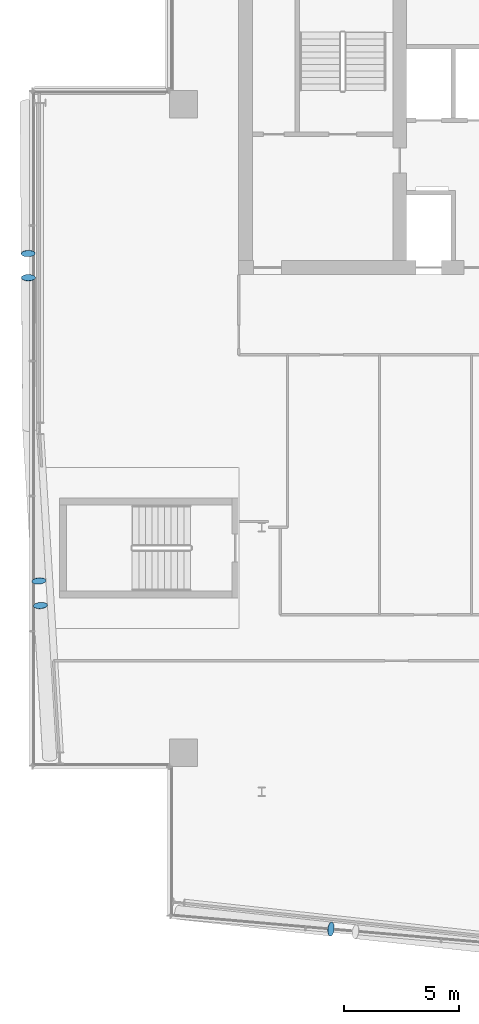
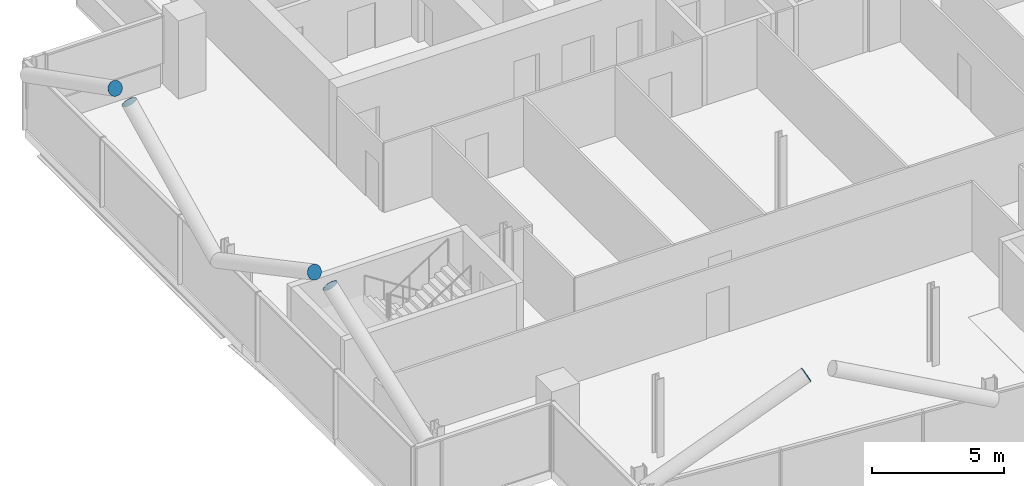
# One storey, part 21 of 27: 5 discrete accessories.
"""IFC4 building model written with IfcOpenShell, lengths in metres."""

from ifc_helpers import new_model, si_unit, direction, frame, origin, origin_2d, place, context, subcontext, project, spatial, circle, extrude, material, material_profile, profile_set, type_object, element, save


model = new_model("IFC4")

# Units and contexts
model_context = context("Model", 3, precision=1e-05, world=origin(), true_north=direction((0.0, 1.0)))
body_context = subcontext(model_context, "Body", "Model", "MODEL_VIEW")
ifc_project = project(units=[si_unit("LENGTHUNIT", "METRE"), si_unit("AREAUNIT", "SQUARE_METRE"), si_unit("VOLUMEUNIT", "CUBIC_METRE"), si_unit("PLANEANGLEUNIT", "RADIAN"), si_unit("MASSUNIT", "GRAM", prefix="KILO")], contexts=[model_context])

# Site, building, storey
site_placement = place(None, origin())
site = spatial("IfcSite", under=ifc_project, at=site_placement, CompositionType="ELEMENT")
building_placement = place(site_placement, origin())
building = spatial("IfcBuilding", under=site, at=building_placement, Name="Wharfspan Tower", CompositionType="ELEMENT")
storey_placement = place(building_placement, frame((0.0, 0.0, 210.699951)))
storey = spatial("IfcBuildingStorey", under=building, at=storey_placement, Name="L52", CompositionType="ELEMENT", Elevation=210.699951)

# Discrete accessories
ifc_material = material(Name="Steel S460NH", Category="steel")
ifc_material_profile = material_profile(ifc_material, circle(Radius=0.304932, at=origin_2d()))
ifc_profile_set = profile_set([ifc_material_profile], Name="Steel S460NH")
discrete_accessory_type = type_object("IfcDiscreteAccessoryType", Name="End plate CHS 610x25", PredefinedType="BRACKET", material=ifc_profile_set)
for number, where, z_axis, x_axis, name in (
    (1, (27.005371, 5.52832, 6.229004), (0.895016, -0.096758, 0.435413), (0.107482, 0.994209, -1e-06), "End plate CHS 610x25"),
    (2, (13.844727, 34.910645, 6.230225), (0.024296, -0.89897, 0.437337), (0.999631, 0.027017, 1e-06), "End plate CHS 610x25"),
):
    element("IfcDiscreteAccessory", number, at=place(storey_placement, frame(where, z_axis=z_axis, x_axis=x_axis)), inside=storey, type_object=discrete_accessory_type, Name=name, PredefinedType="BRACKET", context=body_context, shape_type="SweptSolid", body=[
        extrude(circle(Radius=0.304932, at=origin_2d()), origin(), (0.0, 0.0, 1.0), 0.01001),
    ])
discrete_accessory_placement = place(storey_placement, frame((13.853271, 33.849121, 6.230225), z_axis=(0.0, 0.894427, 0.447214), x_axis=(-1.0, 0.0, 0.0)))
element("IfcDiscreteAccessory", 3, at=discrete_accessory_placement, inside=storey, type_object=discrete_accessory_type, Name="End plate CHS 610x25", PredefinedType="BRACKET", context=body_context, shape_type="SweptSolid", body=[
    extrude(circle(Radius=0.304932, at=origin_2d()), origin(), (0.0, 0.0, 1.0), 0.009766),
])
for number, where, z_axis, x_axis, name in (
    (4, (14.310791, 20.670654, 6.229492), (0.072718, -0.896854, 0.436308), (0.996729, 0.080815, -2e-06), "End plate CHS 610x25"),
    (5, (14.376953, 19.592773, 6.229492), (-0.072718, 0.896854, 0.436308), (-0.996729, -0.080815, -2e-06), "End plate CHS 610x25"),
):
    element("IfcDiscreteAccessory", number, at=place(storey_placement, frame(where, z_axis=z_axis, x_axis=x_axis)), inside=storey, type_object=discrete_accessory_type, Name=name, PredefinedType="BRACKET", context=body_context, shape_type="SweptSolid", body=[
        extrude(circle(Radius=0.304932, at=origin_2d()), origin(), (0.0, 0.0, 1.0), 0.01001),
    ])

save(model, "model.ifc")
